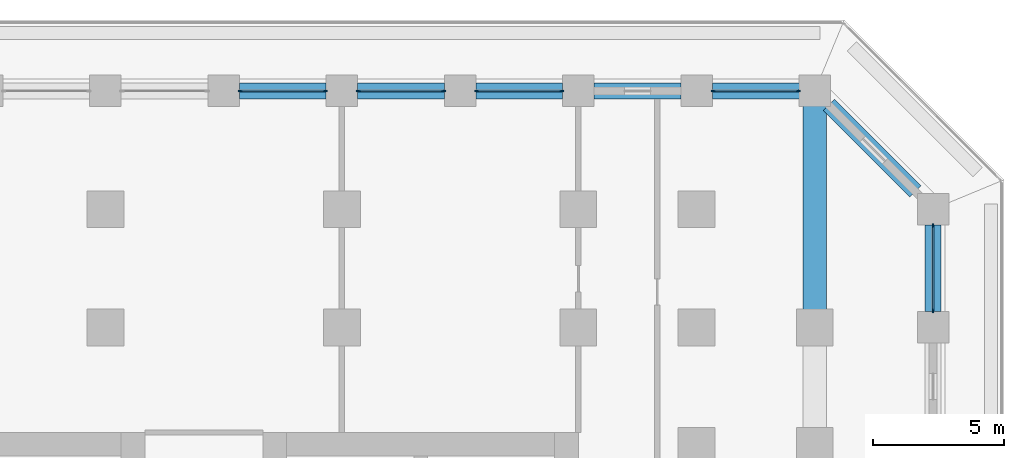
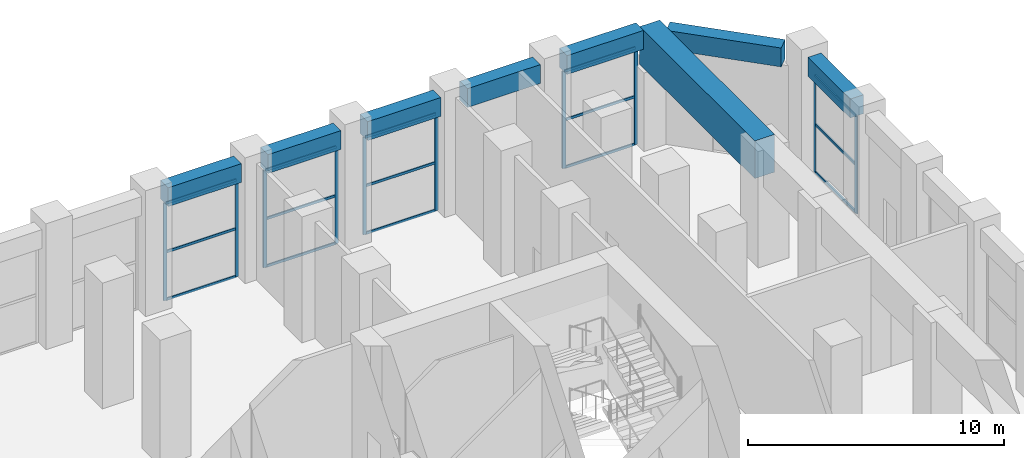
# One storey, part 9 of 24: 25 members, 8 beams, 5 elements without a shape of their own.
"""IFC4 building model written with IfcOpenShell, lengths in metres."""

from ifc_helpers import new_model, si_unit, direction, frame, origin, origin_2d, place, context, subcontext, project, spatial, rectangle, extrude, material, material_profile, profile_set, type_object, element, aggregate, save


model = new_model("IFC4")

# Units and contexts
model_context = context("Model", 3, precision=1e-05, world=origin(), true_north=direction((0.0, 1.0)))
body_context = subcontext(model_context, "Body", "Model", "MODEL_VIEW")
ifc_project = project(units=[si_unit("LENGTHUNIT", "METRE"), si_unit("AREAUNIT", "SQUARE_METRE"), si_unit("VOLUMEUNIT", "CUBIC_METRE"), si_unit("PLANEANGLEUNIT", "RADIAN"), si_unit("MASSUNIT", "GRAM", prefix="KILO")], contexts=[model_context])

# Site, building, storey
site_placement = place(None, origin())
site = spatial("IfcSite", under=ifc_project, at=site_placement, CompositionType="ELEMENT")
building_placement = place(site_placement, origin())
building = spatial("IfcBuilding", under=site, at=building_placement, Name="Corbel Stack Research Tower", CompositionType="ELEMENT")
storey_placement = place(building_placement, frame((0.0, 0.0, 110.699951171875)))
storey = spatial("IfcBuildingStorey", under=building, at=storey_placement, Name="L25", CompositionType="ELEMENT", Elevation=110.699951171875)

# Curtain wall, members
ifc_material_1 = material(Name="Aluminium frame, clear glass", Category="aluminium")
curtain_wall_type = type_object("IfcCurtainWallType", Name="Amenity floor curtain wall CW2", PredefinedType="NOTDEFINED", material=ifc_material_1)
curtain_wall_1_placement = place(storey_placement, origin())
curtain_wall_1 = element("IfcCurtainWall", 1, at=curtain_wall_1_placement, inside=storey, type_object=curtain_wall_type, Name="Curtain wall CW2 L25 E10", PredefinedType="NOTDEFINED")
ifc_material_2 = material(Name="Aluminium mullion", Category="aluminium")
ifc_material_profile_1 = material_profile(ifc_material_2, rectangle(XDim=0.06005859375, YDim=0.159912109375, at=origin_2d()), Name="Mullion 60 x 160")
ifc_profile_set_1 = profile_set([ifc_material_profile_1], Name="Aluminium mullion")
member_type_1 = type_object("IfcMemberType", Name="Curtain wall mullion 60 x 160", PredefinedType="MULLION", material=ifc_profile_set_1)
member_1_placement = place(storey_placement, frame((31.5, 23.1298828125, 0.0), z_axis=(0.0, 0.0, 1.0), x_axis=(-1.0, 0.0, 0.0)))
member_1 = element("IfcMember", 2, at=member_1_placement, type_object=member_type_1, Name="CW2 L25 E10 mullion 1", PredefinedType="MULLION", context=body_context, shape_type="SweptSolid", body=[
    extrude(rectangle(XDim=0.06005859375, YDim=0.159912109375, at=origin_2d()), origin(), (0.0, 0.0, 1.0), 4.650146484375),
])
member_2_placement = place(storey_placement, frame((31.5, 26.3701171875, 0.0), z_axis=(0.0, 0.0, 1.0), x_axis=(-1.0, 0.0, 0.0)))
member_2 = element("IfcMember", 3, at=member_2_placement, type_object=member_type_1, Name="CW2 L25 E10 mullion 2", PredefinedType="MULLION", context=body_context, shape_type="SweptSolid", body=[
    extrude(rectangle(XDim=0.06005859375, YDim=0.159912109375, at=origin_2d()), origin(), (0.0, 0.0, 1.0), 4.650146484375),
])

curtain_wall_2_placement = place(storey_placement, origin())
curtain_wall_2 = element("IfcCurtainWall", 4, at=curtain_wall_2_placement, inside=storey, type_object=curtain_wall_type, Name="Curtain wall CW2 L25 N01", PredefinedType="NOTDEFINED")
member_3_placement = place(storey_placement, frame((26.3701171875, 31.5, 0.0), z_axis=(0.0, 0.0, 1.0), x_axis=(0.0, -1.0, 0.0)))
member_3 = element("IfcMember", 5, at=member_3_placement, type_object=member_type_1, Name="CW2 L25 N01 mullion 1", PredefinedType="MULLION", context=body_context, shape_type="SweptSolid", body=[
    extrude(rectangle(XDim=0.06005859375, YDim=0.159912109375, at=origin_2d()), origin(), (0.0, 0.0, 1.0), 4.650146484375),
])
member_4_placement = place(storey_placement, frame((23.1298828125, 31.5, 0.0), z_axis=(0.0, 0.0, 1.0), x_axis=(0.0, -1.0, 0.0)))
member_4 = element("IfcMember", 6, at=member_4_placement, type_object=member_type_1, Name="CW2 L25 N01 mullion 2", PredefinedType="MULLION", context=body_context, shape_type="SweptSolid", body=[
    extrude(rectangle(XDim=0.06005859375, YDim=0.159912109375, at=origin_2d()), origin(), (0.0, 0.0, 1.0), 4.650146484375),
])

curtain_wall_3_placement = place(storey_placement, origin())
curtain_wall_3 = element("IfcCurtainWall", 7, at=curtain_wall_3_placement, inside=storey, type_object=curtain_wall_type, Name="Curtain wall CW2 L25 N03", PredefinedType="NOTDEFINED")
member_5_placement = place(storey_placement, frame((17.3701171875, 31.5, 0.0), z_axis=(0.0, 0.0, 1.0), x_axis=(0.0, -1.0, 0.0)))
member_5 = element("IfcMember", 8, at=member_5_placement, type_object=member_type_1, Name="CW2 L25 N03 mullion 1", PredefinedType="MULLION", context=body_context, shape_type="SweptSolid", body=[
    extrude(rectangle(XDim=0.06005859375, YDim=0.159912109375, at=origin_2d()), origin(), (0.0, 0.0, 1.0), 4.650146484375),
])
member_6_placement = place(storey_placement, frame((14.1298828125, 31.5, 0.0), z_axis=(0.0, 0.0, 1.0), x_axis=(0.0, -1.0, 0.0)))
member_6 = element("IfcMember", 9, at=member_6_placement, type_object=member_type_1, Name="CW2 L25 N03 mullion 2", PredefinedType="MULLION", context=body_context, shape_type="SweptSolid", body=[
    extrude(rectangle(XDim=0.06005859375, YDim=0.159912109375, at=origin_2d()), origin(), (0.0, 0.0, 1.0), 4.650146484375),
])

curtain_wall_4_placement = place(storey_placement, origin())
curtain_wall_4 = element("IfcCurtainWall", 10, at=curtain_wall_4_placement, inside=storey, type_object=curtain_wall_type, Name="Curtain wall CW2 L25 N04", PredefinedType="NOTDEFINED")
member_7_placement = place(storey_placement, frame((12.8701171875, 31.5, 0.0), z_axis=(0.0, 0.0, 1.0), x_axis=(0.0, -1.0, 0.0)))
member_7 = element("IfcMember", 11, at=member_7_placement, type_object=member_type_1, Name="CW2 L25 N04 mullion 1", PredefinedType="MULLION", context=body_context, shape_type="SweptSolid", body=[
    extrude(rectangle(XDim=0.06005859375, YDim=0.159912109375, at=origin_2d()), origin(), (0.0, 0.0, 1.0), 4.650146484375),
])
member_8_placement = place(storey_placement, frame((9.6298828125, 31.5, 0.0), z_axis=(0.0, 0.0, 1.0), x_axis=(0.0, -1.0, 0.0)))
member_8 = element("IfcMember", 12, at=member_8_placement, type_object=member_type_1, Name="CW2 L25 N04 mullion 2", PredefinedType="MULLION", context=body_context, shape_type="SweptSolid", body=[
    extrude(rectangle(XDim=0.06005859375, YDim=0.159912109375, at=origin_2d()), origin(), (0.0, 0.0, 1.0), 4.650146484375),
])

curtain_wall_5_placement = place(storey_placement, origin())
curtain_wall_5 = element("IfcCurtainWall", 13, at=curtain_wall_5_placement, inside=storey, type_object=curtain_wall_type, Name="Curtain wall CW2 L25 N05", PredefinedType="NOTDEFINED")
member_9_placement = place(storey_placement, frame((8.3701171875, 31.5, 0.0), z_axis=(0.0, 0.0, 1.0), x_axis=(0.0, -1.0, 0.0)))
member_9 = element("IfcMember", 14, at=member_9_placement, type_object=member_type_1, Name="CW2 L25 N05 mullion 1", PredefinedType="MULLION", context=body_context, shape_type="SweptSolid", body=[
    extrude(rectangle(XDim=0.06005859375, YDim=0.159912109375, at=origin_2d()), origin(), (0.0, 0.0, 1.0), 4.650146484375),
])
member_10_placement = place(storey_placement, frame((5.1298828125, 31.5, 0.0), z_axis=(0.0, 0.0, 1.0), x_axis=(0.0, -1.0, 0.0)))
member_10 = element("IfcMember", 15, at=member_10_placement, type_object=member_type_1, Name="CW2 L25 N05 mullion 2", PredefinedType="MULLION", context=body_context, shape_type="SweptSolid", body=[
    extrude(rectangle(XDim=0.06005859375, YDim=0.159912109375, at=origin_2d()), origin(), (0.0, 0.0, 1.0), 4.650146484375),
])

# Member
ifc_material_3 = material(Name="Aluminium transom", Category="aluminium")
ifc_material_profile_2 = material_profile(ifc_material_3, rectangle(XDim=0.06005859375, YDim=0.1201171875, at=origin_2d()), Name="Transom 60 x 120")
ifc_profile_set_2 = profile_set([ifc_material_profile_2], Name="Aluminium transom")
member_type_2 = type_object("IfcMemberType", Name="Curtain wall transom 60 x 120", PredefinedType="USERDEFINED", material=ifc_profile_set_2)
member_11_placement = place(storey_placement, frame((31.5, 23.159912109375, 0.030029296875), z_axis=(0.0, 1.0, 0.0), x_axis=(-1.0, 0.0, 0.0)))
member_11 = element("IfcMember", 16, at=member_11_placement, type_object=member_type_2, Name="CW2 L25 E10 transom 1.1", ObjectType="TRANSOM", PredefinedType="USERDEFINED", context=body_context, shape_type="SweptSolid", body=[
    extrude(rectangle(XDim=0.06005859375, YDim=0.1201171875, at=origin_2d()), origin(), (0.0, 0.0, 1.0), 3.18017578125),
])

member_12_placement = place(storey_placement, frame((31.5, 23.159912109375, 2.300048828125), z_axis=(0.0, 1.0, 0.0), x_axis=(-1.0, 0.0, 0.0)))
member_12 = element("IfcMember", 17, at=member_12_placement, type_object=member_type_2, Name="CW2 L25 E10 transom 1.2", ObjectType="TRANSOM", PredefinedType="USERDEFINED", context=body_context, shape_type="SweptSolid", body=[
    extrude(rectangle(XDim=0.06005859375, YDim=0.1201171875, at=origin_2d()), origin(), (0.0, 0.0, 1.0), 3.18017578125),
])

member_13_placement = place(storey_placement, frame((31.5, 23.159912109375, 4.6201171875), z_axis=(0.0, 1.0, 0.0), x_axis=(-1.0, 0.0, 0.0)))
member_13 = element("IfcMember", 18, at=member_13_placement, type_object=member_type_2, Name="CW2 L25 E10 transom 1.3", ObjectType="TRANSOM", PredefinedType="USERDEFINED", context=body_context, shape_type="SweptSolid", body=[
    extrude(rectangle(XDim=0.06005859375, YDim=0.1201171875, at=origin_2d()), origin(), (0.0, 0.0, 1.0), 3.18017578125),
])

aggregate(curtain_wall_1, [member_1, member_2, member_11, member_12, member_13])

member_14_placement = place(storey_placement, frame((26.340087890625, 31.5, 0.030029296875), z_axis=(-1.0, 0.0, 0.0), x_axis=(0.0, -1.0, 0.0)))
member_14 = element("IfcMember", 19, at=member_14_placement, type_object=member_type_2, Name="CW2 L25 N01 transom 1.1", ObjectType="TRANSOM", PredefinedType="USERDEFINED", context=body_context, shape_type="SweptSolid", body=[
    extrude(rectangle(XDim=0.06005859375, YDim=0.1201171875, at=origin_2d()), origin(), (0.0, 0.0, 1.0), 3.18017578125),
])

member_15_placement = place(storey_placement, frame((26.340087890625, 31.5, 2.300048828125), z_axis=(-1.0, 0.0, 0.0), x_axis=(0.0, -1.0, 0.0)))
member_15 = element("IfcMember", 20, at=member_15_placement, type_object=member_type_2, Name="CW2 L25 N01 transom 1.2", ObjectType="TRANSOM", PredefinedType="USERDEFINED", context=body_context, shape_type="SweptSolid", body=[
    extrude(rectangle(XDim=0.06005859375, YDim=0.1201171875, at=origin_2d()), origin(), (0.0, 0.0, 1.0), 3.18017578125),
])

member_16_placement = place(storey_placement, frame((26.340087890625, 31.5, 4.6201171875), z_axis=(-1.0, 0.0, 0.0), x_axis=(0.0, -1.0, 0.0)))
member_16 = element("IfcMember", 21, at=member_16_placement, type_object=member_type_2, Name="CW2 L25 N01 transom 1.3", ObjectType="TRANSOM", PredefinedType="USERDEFINED", context=body_context, shape_type="SweptSolid", body=[
    extrude(rectangle(XDim=0.06005859375, YDim=0.1201171875, at=origin_2d()), origin(), (0.0, 0.0, 1.0), 3.18017578125),
])

aggregate(curtain_wall_2, [member_3, member_4, member_14, member_15, member_16])

member_17_placement = place(storey_placement, frame((17.340087890625, 31.5, 0.030029296875), z_axis=(-1.0, 0.0, 0.0), x_axis=(0.0, -1.0, 0.0)))
member_17 = element("IfcMember", 22, at=member_17_placement, type_object=member_type_2, Name="CW2 L25 N03 transom 1.1", ObjectType="TRANSOM", PredefinedType="USERDEFINED", context=body_context, shape_type="SweptSolid", body=[
    extrude(rectangle(XDim=0.06005859375, YDim=0.1201171875, at=origin_2d()), origin(), (0.0, 0.0, 1.0), 3.18017578125),
])

member_18_placement = place(storey_placement, frame((17.340087890625, 31.5, 2.300048828125), z_axis=(-1.0, 0.0, 0.0), x_axis=(0.0, -1.0, 0.0)))
member_18 = element("IfcMember", 23, at=member_18_placement, type_object=member_type_2, Name="CW2 L25 N03 transom 1.2", ObjectType="TRANSOM", PredefinedType="USERDEFINED", context=body_context, shape_type="SweptSolid", body=[
    extrude(rectangle(XDim=0.06005859375, YDim=0.1201171875, at=origin_2d()), origin(), (0.0, 0.0, 1.0), 3.18017578125),
])

member_19_placement = place(storey_placement, frame((17.340087890625, 31.5, 4.6201171875), z_axis=(-1.0, 0.0, 0.0), x_axis=(0.0, -1.0, 0.0)))
member_19 = element("IfcMember", 24, at=member_19_placement, type_object=member_type_2, Name="CW2 L25 N03 transom 1.3", ObjectType="TRANSOM", PredefinedType="USERDEFINED", context=body_context, shape_type="SweptSolid", body=[
    extrude(rectangle(XDim=0.06005859375, YDim=0.1201171875, at=origin_2d()), origin(), (0.0, 0.0, 1.0), 3.18017578125),
])

aggregate(curtain_wall_3, [member_5, member_6, member_17, member_18, member_19])

member_20_placement = place(storey_placement, frame((12.840087890625, 31.5, 0.030029296875), z_axis=(-1.0, 0.0, 0.0), x_axis=(0.0, -1.0, 0.0)))
member_20 = element("IfcMember", 25, at=member_20_placement, type_object=member_type_2, Name="CW2 L25 N04 transom 1.1", ObjectType="TRANSOM", PredefinedType="USERDEFINED", context=body_context, shape_type="SweptSolid", body=[
    extrude(rectangle(XDim=0.06005859375, YDim=0.1201171875, at=origin_2d()), origin(), (0.0, 0.0, 1.0), 3.18017578125),
])

member_21_placement = place(storey_placement, frame((12.840087890625, 31.5, 2.300048828125), z_axis=(-1.0, 0.0, 0.0), x_axis=(0.0, -1.0, 0.0)))
member_21 = element("IfcMember", 26, at=member_21_placement, type_object=member_type_2, Name="CW2 L25 N04 transom 1.2", ObjectType="TRANSOM", PredefinedType="USERDEFINED", context=body_context, shape_type="SweptSolid", body=[
    extrude(rectangle(XDim=0.06005859375, YDim=0.1201171875, at=origin_2d()), origin(), (0.0, 0.0, 1.0), 3.18017578125),
])

member_22_placement = place(storey_placement, frame((12.840087890625, 31.5, 4.6201171875), z_axis=(-1.0, 0.0, 0.0), x_axis=(0.0, -1.0, 0.0)))
member_22 = element("IfcMember", 27, at=member_22_placement, type_object=member_type_2, Name="CW2 L25 N04 transom 1.3", ObjectType="TRANSOM", PredefinedType="USERDEFINED", context=body_context, shape_type="SweptSolid", body=[
    extrude(rectangle(XDim=0.06005859375, YDim=0.1201171875, at=origin_2d()), origin(), (0.0, 0.0, 1.0), 3.18017578125),
])

aggregate(curtain_wall_4, [member_7, member_8, member_20, member_21, member_22])

member_23_placement = place(storey_placement, frame((8.340087890625, 31.5, 0.030029296875), z_axis=(-1.0, 0.0, 0.0), x_axis=(0.0, -1.0, 0.0)))
member_23 = element("IfcMember", 28, at=member_23_placement, type_object=member_type_2, Name="CW2 L25 N05 transom 1.1", ObjectType="TRANSOM", PredefinedType="USERDEFINED", context=body_context, shape_type="SweptSolid", body=[
    extrude(rectangle(XDim=0.06005859375, YDim=0.1201171875, at=origin_2d()), origin(), (0.0, 0.0, 1.0), 3.18017578125),
])

member_24_placement = place(storey_placement, frame((8.340087890625, 31.5, 2.300048828125), z_axis=(-1.0, 0.0, 0.0), x_axis=(0.0, -1.0, 0.0)))
member_24 = element("IfcMember", 29, at=member_24_placement, type_object=member_type_2, Name="CW2 L25 N05 transom 1.2", ObjectType="TRANSOM", PredefinedType="USERDEFINED", context=body_context, shape_type="SweptSolid", body=[
    extrude(rectangle(XDim=0.06005859375, YDim=0.1201171875, at=origin_2d()), origin(), (0.0, 0.0, 1.0), 3.18017578125),
])

member_25_placement = place(storey_placement, frame((8.340087890625, 31.5, 4.6201171875), z_axis=(-1.0, 0.0, 0.0), x_axis=(0.0, -1.0, 0.0)))
member_25 = element("IfcMember", 30, at=member_25_placement, type_object=member_type_2, Name="CW2 L25 N05 transom 1.3", ObjectType="TRANSOM", PredefinedType="USERDEFINED", context=body_context, shape_type="SweptSolid", body=[
    extrude(rectangle(XDim=0.06005859375, YDim=0.1201171875, at=origin_2d()), origin(), (0.0, 0.0, 1.0), 3.18017578125),
])

aggregate(curtain_wall_5, [member_9, member_10, member_23, member_24, member_25])

# Beams
ifc_material_4 = material(Name="Concrete C60/75", Category="concrete")
ifc_material_profile_3 = material_profile(ifc_material_4, rectangle(XDim=0.60009765625, YDim=0.89990234375, at=origin_2d()), Name="RC 600 x 900")
ifc_profile_set_3 = profile_set([ifc_material_profile_3], Name="Concrete C60/75")
beam_type_1 = type_object("IfcBeamType", Name="SB-600-900-450", PredefinedType="SPANDREL", material=ifc_profile_set_3)
beam_1_placement = place(storey_placement, frame((31.5, 23.10009765625, 5.10009765625), z_axis=(0.0, 1.0, 0.0), x_axis=(-1.0, 0.0, 0.0)))
element("IfcBeam", 31, at=beam_1_placement, inside=storey, type_object=beam_type_1, Name="Spandrel beam L25-21", PredefinedType="SPANDREL", context=body_context, shape_type="SweptSolid", body=[
    extrude(rectangle(XDim=0.60009765625, YDim=0.89990234375, at=origin_2d()), origin(), (0.0, 0.0, 1.0), 3.2998046875),
])
beam_2_placement = place(storey_placement, frame((30.822265625, 27.677734375, 5.10009765625), z_axis=(-0.707106781187, 0.707106781187, 0.0), x_axis=(-0.707106781187, -0.707106781187, 0.0)))
element("IfcBeam", 32, at=beam_2_placement, inside=storey, type_object=beam_type_1, Name="Spandrel beam L25-22", PredefinedType="SPANDREL", context=body_context, shape_type="SweptSolid", body=[
    extrude(rectangle(XDim=0.60009765625, YDim=0.89990234375, at=origin_2d()), origin(), (0.0, 0.0, 1.0), 4.658935546875),
])
beam_3_placement = place(storey_placement, frame((26.550048828125, 31.5, 5.10009765625), z_axis=(-1.0, 0.0, 0.0), x_axis=(0.0, -1.0, 0.0)))
element("IfcBeam", 33, at=beam_3_placement, inside=storey, type_object=beam_type_1, Name="Spandrel beam L25-23", PredefinedType="SPANDREL", context=body_context, shape_type="SweptSolid", body=[
    extrude(rectangle(XDim=0.60009765625, YDim=0.89990234375, at=origin_2d()), origin(), (0.0, 0.0, 1.0), 3.449951171875),
])
for number, where, z_axis, x_axis, name in (
    (34, (21.89990234375, 31.5, 5.10009765625), (-1.0, 0.0, 0.0), (0.0, -1.0, 0.0), "Spandrel beam L25-24"),
    (35, (17.39990234375, 31.5, 5.10009765625), (-1.0, 0.0, 0.0), (0.0, -1.0, 0.0), "Spandrel beam L25-25"),
    (36, (12.89990234375, 31.5, 5.10009765625), (-1.0, 0.0, 0.0), (0.0, -1.0, 0.0), "Spandrel beam L25-26"),
    (37, (8.39990234375, 31.5, 5.10009765625), (-1.0, 0.0, 0.0), (0.0, -1.0, 0.0), "Spandrel beam L25-27"),
):
    element("IfcBeam", number, at=place(storey_placement, frame(where, z_axis=z_axis, x_axis=x_axis)), inside=storey, type_object=beam_type_1, Name=name, PredefinedType="SPANDREL", context=body_context, shape_type="SweptSolid", body=[
        extrude(rectangle(XDim=0.60009765625, YDim=0.89990234375, at=origin_2d()), origin(), (0.0, 0.0, 1.0), 3.2998046875),
    ])
ifc_material_5 = material(Name="Concrete C60/75", Category="concrete")
ifc_material_profile_4 = material_profile(ifc_material_5, rectangle(XDim=0.89990234375, YDim=1.800048828125, at=origin_2d()), Name="RC 900 x 1800")
ifc_profile_set_4 = profile_set([ifc_material_profile_4], Name="Concrete C60/75")
beam_type_2 = type_object("IfcBeamType", Name="TG-900-1800", PredefinedType="BEAM", material=ifc_profile_set_4)
beam_4_placement = place(storey_placement, frame((27.0, 22.5, 4.650146484375), z_axis=(0.0, 1.0, 0.0), x_axis=(-1.0, 0.0, 0.0)))
element("IfcBeam", 38, at=beam_4_placement, inside=storey, type_object=beam_type_2, Name="Transfer girder along the step L25 El22.5", PredefinedType="BEAM", context=body_context, shape_type="SweptSolid", body=[
    extrude(rectangle(XDim=0.89990234375, YDim=1.800048828125, at=origin_2d()), origin(), (0.0, 0.0, 1.0), 9.0),
])

save(model, "model.ifc")
